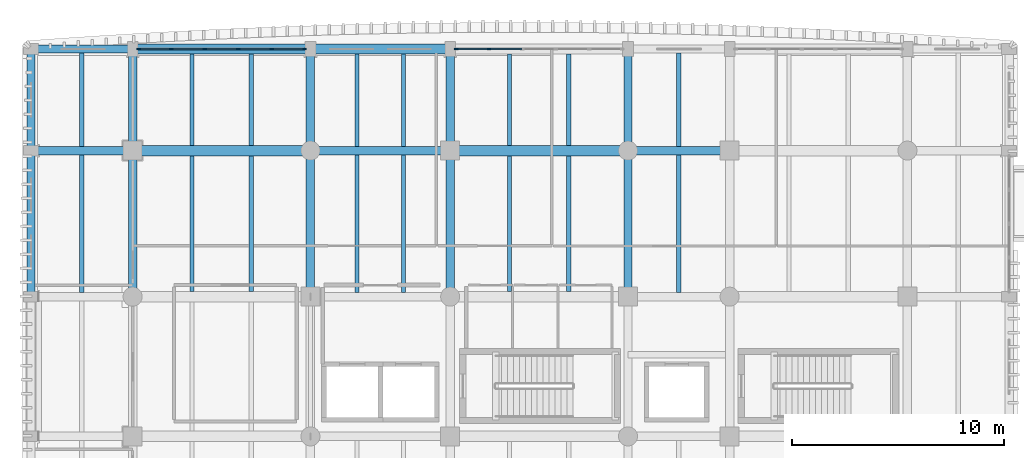
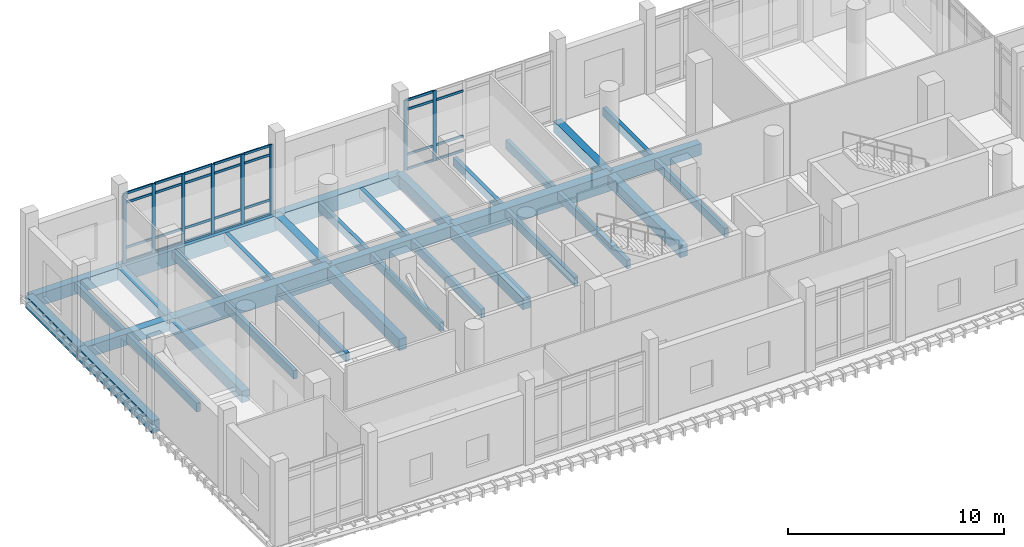
# One storey, part 27 of 101: 35 members, 34 beams, 2 elements without a shape of their own.
"""IFC4 building model written with IfcOpenShell, lengths in metres."""

from ifc_helpers import new_model, si_unit, direction, frame, origin, origin_2d, place, context, subcontext, project, spatial, rectangle, extrude, material, material_profile, profile_set, type_object, element, aggregate, save


model = new_model("IFC4")

# Units and contexts
model_context = context("Model", 3, precision=1e-05, world=origin(), true_north=direction((0.0, 1.0)))
body_context = subcontext(model_context, "Body", "Model", "MODEL_VIEW")
ifc_project = project(units=[si_unit("LENGTHUNIT", "METRE"), si_unit("AREAUNIT", "SQUARE_METRE"), si_unit("VOLUMEUNIT", "CUBIC_METRE"), si_unit("PLANEANGLEUNIT", "RADIAN"), si_unit("MASSUNIT", "GRAM", prefix="KILO")], contexts=[model_context])

# Site, building, storey
site_placement = place(None, origin())
site = spatial("IfcSite", under=ifc_project, at=site_placement, CompositionType="ELEMENT")
building_placement = place(site_placement, origin())
building = spatial("IfcBuilding", under=site, at=building_placement, Name="Dornvale Research Institute", CompositionType="ELEMENT")
storey_placement = place(building_placement, frame((0.0, 0.0, 10.199951171875)))
storey = spatial("IfcBuildingStorey", under=building, at=storey_placement, Name="L02", CompositionType="ELEMENT", Elevation=10.199951171875)

# Beams
ifc_material_1 = material(Name="Concrete f'c 45 MPa (C35/45)", Category="concrete")
ifc_material_profile_1 = material_profile(ifc_material_1, rectangle(XDim=0.39990234375, YDim=0.64990234375, at=origin_2d()), Name="RC 400x650")
ifc_profile_set_1 = profile_set([ifc_material_profile_1], Name="Concrete f'c 45 MPa (C35/45)")
beam_type_1 = type_object("IfcBeamType", Name="Beam_RC400x650_Floor", PredefinedType="BEAM", material=ifc_profile_set_1)
beam_1_placement = place(storey_placement, frame((0.0, 117.300048828125, -0.324951171875), z_axis=(1.0, 0.0, 0.0), x_axis=(0.0, 1.0, 0.0)))
element("IfcBeam", 1, at=beam_1_placement, inside=storey, type_object=beam_type_1, Name="L02 primary girder #589", PredefinedType="BEAM", context=body_context, shape_type="SweptSolid", body=[
    extrude(rectangle(XDim=0.39990234375, YDim=0.64990234375, at=origin_2d()), origin(), (0.0, 0.0, 1.0), 4.800048828125),
])
beam_2_placement = place(storey_placement, frame((13.199951171875, 117.300048828125, -0.324951171875), z_axis=(1.0, 0.0, 0.0), x_axis=(0.0, 1.0, 0.0)))
element("IfcBeam", 2, at=beam_2_placement, inside=storey, type_object=beam_type_1, Name="L02 primary girder #591", PredefinedType="BEAM", context=body_context, shape_type="SweptSolid", body=[
    extrude(rectangle(XDim=0.39990234375, YDim=0.64990234375, at=origin_2d()), origin(), (0.0, 0.0, 1.0), 6.60009765625),
])
beam_3_placement = place(storey_placement, frame((28.199951171875, 117.300048828125, -0.324951171875), z_axis=(1.0, 0.0, 0.0), x_axis=(0.0, 1.0, 0.0)))
element("IfcBeam", 3, at=beam_3_placement, inside=storey, type_object=beam_type_1, Name="L02 primary girder #593", PredefinedType="BEAM", context=body_context, shape_type="SweptSolid", body=[
    extrude(rectangle(XDim=0.39990234375, YDim=0.64990234375, at=origin_2d()), origin(), (0.0, 0.0, 1.0), 4.800048828125),
])
beam_4_placement = place(storey_placement, frame((4.800048828125, 110.39990234375, -0.324951171875), z_axis=(0.0, 1.0, 0.0), x_axis=(-1.0, 0.0, 0.0)))
element("IfcBeam", 4, at=beam_4_placement, inside=storey, type_object=beam_type_1, Name="L02 transverse girder #609", PredefinedType="BEAM", context=body_context, shape_type="SweptSolid", body=[
    extrude(rectangle(XDim=0.39990234375, YDim=0.64990234375, at=origin_2d()), origin(), (0.0, 0.0, 1.0), 6.900146484375),
])
beam_5_placement = place(storey_placement, frame((4.800048828125, 117.300048828125, -0.324951171875), z_axis=(0.0, 1.0, 0.0), x_axis=(-1.0, 0.0, 0.0)))
element("IfcBeam", 5, at=beam_5_placement, inside=storey, type_object=beam_type_1, Name="L02 transverse girder #610", PredefinedType="BEAM", context=body_context, shape_type="SweptSolid", body=[
    extrude(rectangle(XDim=0.39990234375, YDim=0.64990234375, at=origin_2d()), origin(), (0.0, 0.0, 1.0), 4.800048828125),
])
beam_6_placement = place(storey_placement, frame((13.199951171875, 110.39990234375, -0.324951171875), z_axis=(0.0, 1.0, 0.0), x_axis=(-1.0, 0.0, 0.0)))
element("IfcBeam", 6, at=beam_6_placement, inside=storey, type_object=beam_type_1, Name="L02 transverse girder #613", PredefinedType="BEAM", context=body_context, shape_type="SweptSolid", body=[
    extrude(rectangle(XDim=0.39990234375, YDim=0.64990234375, at=origin_2d()), origin(), (0.0, 0.0, 1.0), 6.900146484375),
])
beam_7_placement = place(storey_placement, frame((13.199951171875, 117.300048828125, -0.324951171875), z_axis=(0.0, 1.0, 0.0), x_axis=(-1.0, 0.0, 0.0)))
element("IfcBeam", 7, at=beam_7_placement, inside=storey, type_object=beam_type_1, Name="L02 transverse girder #614", PredefinedType="BEAM", context=body_context, shape_type="SweptSolid", body=[
    extrude(rectangle(XDim=0.39990234375, YDim=0.64990234375, at=origin_2d()), origin(), (0.0, 0.0, 1.0), 4.800048828125),
])
beam_8_placement = place(storey_placement, frame((19.800048828125, 110.39990234375, -0.324951171875), z_axis=(0.0, 1.0, 0.0), x_axis=(-1.0, 0.0, 0.0)))
element("IfcBeam", 8, at=beam_8_placement, inside=storey, type_object=beam_type_1, Name="L02 transverse girder #617", PredefinedType="BEAM", context=body_context, shape_type="SweptSolid", body=[
    extrude(rectangle(XDim=0.39990234375, YDim=0.64990234375, at=origin_2d()), origin(), (0.0, 0.0, 1.0), 6.900146484375),
])
beam_9_placement = place(storey_placement, frame((19.800048828125, 117.300048828125, -0.324951171875), z_axis=(0.0, 1.0, 0.0), x_axis=(-1.0, 0.0, 0.0)))
element("IfcBeam", 9, at=beam_9_placement, inside=storey, type_object=beam_type_1, Name="L02 transverse girder #618", PredefinedType="BEAM", context=body_context, shape_type="SweptSolid", body=[
    extrude(rectangle(XDim=0.39990234375, YDim=0.64990234375, at=origin_2d()), origin(), (0.0, 0.0, 1.0), 4.800048828125),
])
beam_10_placement = place(storey_placement, frame((28.199951171875, 110.39990234375, -0.324951171875), z_axis=(0.0, 1.0, 0.0), x_axis=(-1.0, 0.0, 0.0)))
element("IfcBeam", 10, at=beam_10_placement, inside=storey, type_object=beam_type_1, Name="L02 transverse girder #621", PredefinedType="BEAM", context=body_context, shape_type="SweptSolid", body=[
    extrude(rectangle(XDim=0.39990234375, YDim=0.64990234375, at=origin_2d()), origin(), (0.0, 0.0, 1.0), 6.900146484375),
])
beam_11_placement = place(storey_placement, frame((28.199951171875, 117.300048828125, -0.324951171875), z_axis=(0.0, 1.0, 0.0), x_axis=(-1.0, 0.0, 0.0)))
element("IfcBeam", 11, at=beam_11_placement, inside=storey, type_object=beam_type_1, Name="L02 transverse girder #622", PredefinedType="BEAM", context=body_context, shape_type="SweptSolid", body=[
    extrude(rectangle(XDim=0.39990234375, YDim=0.64990234375, at=origin_2d()), origin(), (0.0, 0.0, 1.0), 4.800048828125),
])
ifc_material_2 = material(Name="Concrete f'c 45 MPa (C35/45)", Category="concrete")
ifc_material_profile_2 = material_profile(ifc_material_2, rectangle(XDim=0.5, YDim=0.949951171875, at=origin_2d()), Name="RC 500x950")
ifc_profile_set_2 = profile_set([ifc_material_profile_2], Name="Concrete f'c 45 MPa (C35/45)")
beam_type_2 = type_object("IfcBeamType", Name="Beam_RC500x950_Girder", PredefinedType="BEAM", material=ifc_profile_set_2)
for number, where, z_axis, x_axis, name in (
    (12, (4.800048828125, 117.300048828125, -0.474853515625), (1.0, 0.0, 0.0), (0.0, 1.0, 0.0), "L02 primary girder #590"),
    (13, (19.800048828125, 117.300048828125, -0.474853515625), (1.0, 0.0, 0.0), (0.0, 1.0, 0.0), "L02 primary girder #592"),
):
    element("IfcBeam", number, at=place(storey_placement, frame(where, z_axis=z_axis, x_axis=x_axis)), inside=storey, type_object=beam_type_2, Name=name, PredefinedType="BEAM", context=body_context, shape_type="SweptSolid", body=[
        extrude(rectangle(XDim=0.5, YDim=0.949951171875, at=origin_2d()), origin(), (0.0, 0.0, 1.0), 8.39990234375),
    ])
ifc_material_3 = material(Name="Concrete f'c 45 MPa (C35/45)", Category="concrete")
ifc_material_profile_3 = material_profile(ifc_material_3, rectangle(XDim=0.199951171875, YDim=0.485107421875, at=origin_2d()), Name="RC 200x485")
ifc_profile_set_3 = profile_set([ifc_material_profile_3], Name="Concrete f'c 45 MPa (C35/45)")
beam_type_3 = type_object("IfcBeamType", Name="Joist_RC200x485_Rib", PredefinedType="JOIST", material=ifc_profile_set_3)
beam_12_placement = place(storey_placement, frame((2.39990234375, 110.60009765625, -0.242431640625), z_axis=(0.0, 1.0, 0.0), x_axis=(-1.0, 0.0, 0.0)))
element("IfcBeam", 14, at=beam_12_placement, inside=storey, type_object=beam_type_3, Name="L02 laboratory waffle joist #279", PredefinedType="JOIST", context=body_context, shape_type="SweptSolid", body=[
    extrude(rectangle(XDim=0.199951171875, YDim=0.485107421875, at=origin_2d()), origin(), (0.0, 0.0, 1.0), 6.5),
])
beam_13_placement = place(storey_placement, frame((2.39990234375, 117.5, -0.242431640625), z_axis=(0.0, 1.0, 0.0), x_axis=(-1.0, 0.0, 0.0)))
element("IfcBeam", 15, at=beam_13_placement, inside=storey, type_object=beam_type_3, Name="L02 laboratory waffle joist #280", PredefinedType="JOIST", context=body_context, shape_type="SweptSolid", body=[
    extrude(rectangle(XDim=0.199951171875, YDim=0.485107421875, at=origin_2d()), origin(), (0.0, 0.0, 1.0), 4.39990234375),
])
for number, where, z_axis, x_axis, name in (
    (16, (7.60009765625, 110.64990234375, -0.242431640625), (0.0, 1.0, 0.0), (-1.0, 0.0, 0.0), "L02 laboratory waffle joist #285"),
    (17, (10.39990234375, 110.64990234375, -0.242431640625), (0.0, 1.0, 0.0), (-1.0, 0.0, 0.0), "L02 laboratory waffle joist #286"),
):
    element("IfcBeam", number, at=place(storey_placement, frame(where, z_axis=z_axis, x_axis=x_axis)), inside=storey, type_object=beam_type_3, Name=name, PredefinedType="JOIST", context=body_context, shape_type="SweptSolid", body=[
        extrude(rectangle(XDim=0.199951171875, YDim=0.485107421875, at=origin_2d()), origin(), (0.0, 0.0, 1.0), 6.400146484375),
    ])
for number, where, z_axis, x_axis, name in (
    (18, (7.60009765625, 117.550048828125, -0.242431640625), (0.0, 1.0, 0.0), (-1.0, 0.0, 0.0), "L02 laboratory waffle joist #287"),
    (19, (10.39990234375, 117.550048828125, -0.242431640625), (0.0, 1.0, 0.0), (-1.0, 0.0, 0.0), "L02 laboratory waffle joist #288"),
):
    element("IfcBeam", number, at=place(storey_placement, frame(where, z_axis=z_axis, x_axis=x_axis)), inside=storey, type_object=beam_type_3, Name=name, PredefinedType="JOIST", context=body_context, shape_type="SweptSolid", body=[
        extrude(rectangle(XDim=0.199951171875, YDim=0.485107421875, at=origin_2d()), origin(), (0.0, 0.0, 1.0), 4.324951171875),
    ])
for number, where, z_axis, x_axis, name in (
    (20, (15.39990234375, 110.60009765625, -0.242431640625), (0.0, 1.0, 0.0), (-1.0, 0.0, 0.0), "L02 laboratory waffle joist #291"),
    (21, (17.60009765625, 110.60009765625, -0.242431640625), (0.0, 1.0, 0.0), (-1.0, 0.0, 0.0), "L02 laboratory waffle joist #292"),
):
    element("IfcBeam", number, at=place(storey_placement, frame(where, z_axis=z_axis, x_axis=x_axis)), inside=storey, type_object=beam_type_3, Name=name, PredefinedType="JOIST", context=body_context, shape_type="SweptSolid", body=[
        extrude(rectangle(XDim=0.199951171875, YDim=0.485107421875, at=origin_2d()), origin(), (0.0, 0.0, 1.0), 6.5),
    ])
for number, where, z_axis, x_axis, name in (
    (22, (15.39990234375, 117.5, -0.242431640625), (0.0, 1.0, 0.0), (-1.0, 0.0, 0.0), "L02 laboratory waffle joist #293"),
    (23, (17.60009765625, 117.5, -0.242431640625), (0.0, 1.0, 0.0), (-1.0, 0.0, 0.0), "L02 laboratory waffle joist #294"),
):
    element("IfcBeam", number, at=place(storey_placement, frame(where, z_axis=z_axis, x_axis=x_axis)), inside=storey, type_object=beam_type_3, Name=name, PredefinedType="JOIST", context=body_context, shape_type="SweptSolid", body=[
        extrude(rectangle(XDim=0.199951171875, YDim=0.485107421875, at=origin_2d()), origin(), (0.0, 0.0, 1.0), 4.375),
    ])
for number, where, z_axis, x_axis, name in (
    (24, (22.60009765625, 110.64990234375, -0.242431640625), (0.0, 1.0, 0.0), (-1.0, 0.0, 0.0), "L02 laboratory waffle joist #297"),
    (25, (25.39990234375, 110.64990234375, -0.242431640625), (0.0, 1.0, 0.0), (-1.0, 0.0, 0.0), "L02 laboratory waffle joist #298"),
):
    element("IfcBeam", number, at=place(storey_placement, frame(where, z_axis=z_axis, x_axis=x_axis)), inside=storey, type_object=beam_type_3, Name=name, PredefinedType="JOIST", context=body_context, shape_type="SweptSolid", body=[
        extrude(rectangle(XDim=0.199951171875, YDim=0.485107421875, at=origin_2d()), origin(), (0.0, 0.0, 1.0), 6.400146484375),
    ])
for number, where, z_axis, x_axis, name in (
    (26, (22.60009765625, 117.550048828125, -0.242431640625), (0.0, 1.0, 0.0), (-1.0, 0.0, 0.0), "L02 laboratory waffle joist #299"),
    (27, (25.39990234375, 117.550048828125, -0.242431640625), (0.0, 1.0, 0.0), (-1.0, 0.0, 0.0), "L02 laboratory waffle joist #300"),
):
    element("IfcBeam", number, at=place(storey_placement, frame(where, z_axis=z_axis, x_axis=x_axis)), inside=storey, type_object=beam_type_3, Name=name, PredefinedType="JOIST", context=body_context, shape_type="SweptSolid", body=[
        extrude(rectangle(XDim=0.199951171875, YDim=0.485107421875, at=origin_2d()), origin(), (0.0, 0.0, 1.0), 4.324951171875),
    ])
beam_14_placement = place(storey_placement, frame((30.60009765625, 110.60009765625, -0.242431640625), z_axis=(0.0, 1.0, 0.0), x_axis=(-1.0, 0.0, 0.0)))
element("IfcBeam", 28, at=beam_14_placement, inside=storey, type_object=beam_type_3, Name="L02 laboratory waffle joist #302", PredefinedType="JOIST", context=body_context, shape_type="SweptSolid", body=[
    extrude(rectangle(XDim=0.199951171875, YDim=0.485107421875, at=origin_2d()), origin(), (0.0, 0.0, 1.0), 6.5),
])
beam_15_placement = place(storey_placement, frame((30.60009765625, 117.5, -0.242431640625), z_axis=(0.0, 1.0, 0.0), x_axis=(-1.0, 0.0, 0.0)))
element("IfcBeam", 29, at=beam_15_placement, inside=storey, type_object=beam_type_3, Name="L02 laboratory waffle joist #303", PredefinedType="JOIST", context=body_context, shape_type="SweptSolid", body=[
    extrude(rectangle(XDim=0.199951171875, YDim=0.485107421875, at=origin_2d()), origin(), (0.0, 0.0, 1.0), 4.39990234375),
])

# Curtain wall, members
ifc_material_4 = material(Name="Low-E Argon Double Insulating Glazing Unit", Category="glass")
curtain_wall_type = type_object("IfcCurtainWallType", Name="UnitisedCurtainWall_V5_7900x3950", PredefinedType="USERDEFINED", material=ifc_material_4)
curtain_wall_1_placement = place(storey_placement, origin())
curtain_wall_1 = element("IfcCurtainWall", 30, at=curtain_wall_1_placement, inside=storey, type_object=curtain_wall_type, Name="L02 V5 unitised curtain wall CW-24 #140", ObjectType="UNITISED CURTAIN WALL", PredefinedType="USERDEFINED")
ifc_material_5 = material(Name="Anodized Aluminum AA 6063-T6 Thermally Broken Frame", Category="aluminium")
ifc_material_profile_4 = material_profile(ifc_material_5, rectangle(XDim=0.06494140625, YDim=0.179931640625, at=origin_2d()), Name="ALU MULLION 65x180")
ifc_profile_set_4 = profile_set([ifc_material_profile_4], Name="Anodized Aluminum AA 6063-T6 Thermally Broken Frame")
member_type_1 = type_object("IfcMemberType", Name="Mullion_CW_65x180", PredefinedType="MULLION", material=ifc_profile_set_4)
member_1_placement = place(storey_placement, frame((5.08251953125, 122.10009765625, 0.0), z_axis=(0.0, 0.0, 1.0), x_axis=(0.0, 1.0, 0.0)))
member_1 = element("IfcMember", 31, at=member_1_placement, type_object=member_type_1, Name="CW-24 mullion 1", PredefinedType="MULLION", context=body_context, shape_type="SweptSolid", body=[
    extrude(rectangle(XDim=0.06494140625, YDim=0.179931640625, at=origin_2d()), origin(), (0.0, 0.0, 1.0), 3.949951171875),
])
member_2_placement = place(storey_placement, frame((6.6298828125, 122.10009765625, 0.0), z_axis=(0.0, 0.0, 1.0), x_axis=(0.0, 1.0, 0.0)))
member_2 = element("IfcMember", 32, at=member_2_placement, type_object=member_type_1, Name="CW-24 mullion 2", PredefinedType="MULLION", context=body_context, shape_type="SweptSolid", body=[
    extrude(rectangle(XDim=0.06494140625, YDim=0.179931640625, at=origin_2d()), origin(), (0.0, 0.0, 1.0), 3.949951171875),
])
member_3_placement = place(storey_placement, frame((8.2099609375, 122.10009765625, 0.0), z_axis=(0.0, 0.0, 1.0), x_axis=(0.0, 1.0, 0.0)))
member_3 = element("IfcMember", 33, at=member_3_placement, type_object=member_type_1, Name="CW-24 mullion 3", PredefinedType="MULLION", context=body_context, shape_type="SweptSolid", body=[
    extrude(rectangle(XDim=0.06494140625, YDim=0.179931640625, at=origin_2d()), origin(), (0.0, 0.0, 1.0), 3.949951171875),
])
member_4_placement = place(storey_placement, frame((9.7900390625, 122.10009765625, 0.0), z_axis=(0.0, 0.0, 1.0), x_axis=(0.0, 1.0, 0.0)))
member_4 = element("IfcMember", 34, at=member_4_placement, type_object=member_type_1, Name="CW-24 mullion 4", PredefinedType="MULLION", context=body_context, shape_type="SweptSolid", body=[
    extrude(rectangle(XDim=0.06494140625, YDim=0.179931640625, at=origin_2d()), origin(), (0.0, 0.0, 1.0), 3.949951171875),
])
member_5_placement = place(storey_placement, frame((11.3701171875, 122.10009765625, 0.0), z_axis=(0.0, 0.0, 1.0), x_axis=(0.0, 1.0, 0.0)))
member_5 = element("IfcMember", 35, at=member_5_placement, type_object=member_type_1, Name="CW-24 mullion 5", PredefinedType="MULLION", context=body_context, shape_type="SweptSolid", body=[
    extrude(rectangle(XDim=0.06494140625, YDim=0.179931640625, at=origin_2d()), origin(), (0.0, 0.0, 1.0), 3.949951171875),
])
member_6_placement = place(storey_placement, frame((12.91748046875, 122.10009765625, 0.0), z_axis=(0.0, 0.0, 1.0), x_axis=(0.0, 1.0, 0.0)))
member_6 = element("IfcMember", 36, at=member_6_placement, type_object=member_type_1, Name="CW-24 mullion 6", PredefinedType="MULLION", context=body_context, shape_type="SweptSolid", body=[
    extrude(rectangle(XDim=0.06494140625, YDim=0.179931640625, at=origin_2d()), origin(), (0.0, 0.0, 1.0), 3.949951171875),
])

curtain_wall_2_placement = place(storey_placement, origin())
curtain_wall_2 = element("IfcCurtainWall", 37, at=curtain_wall_2_placement, inside=storey, type_object=curtain_wall_type, Name="L02 V5 unitised curtain wall CW-24 #141", ObjectType="UNITISED CURTAIN WALL", PredefinedType="USERDEFINED")
member_7_placement = place(storey_placement, frame((20.08251953125, 122.10009765625, 0.0), z_axis=(0.0, 0.0, 1.0), x_axis=(0.0, 1.0, 0.0)))
member_7 = element("IfcMember", 38, at=member_7_placement, type_object=member_type_1, Name="CW-24 mullion 1", PredefinedType="MULLION", context=body_context, shape_type="SweptSolid", body=[
    extrude(rectangle(XDim=0.06494140625, YDim=0.179931640625, at=origin_2d()), origin(), (0.0, 0.0, 1.0), 3.949951171875),
])
member_8_placement = place(storey_placement, frame((21.6298828125, 122.10009765625, 0.0), z_axis=(0.0, 0.0, 1.0), x_axis=(0.0, 1.0, 0.0)))
member_8 = element("IfcMember", 39, at=member_8_placement, type_object=member_type_1, Name="CW-24 mullion 2", PredefinedType="MULLION", context=body_context, shape_type="SweptSolid", body=[
    extrude(rectangle(XDim=0.06494140625, YDim=0.179931640625, at=origin_2d()), origin(), (0.0, 0.0, 1.0), 3.949951171875),
])

# Beams
ifc_material_6 = material(Name="Concrete f'c 45 MPa (C35/45)", Category="concrete")
ifc_material_profile_5 = material_profile(ifc_material_6, rectangle(XDim=0.39990234375, YDim=0.699951171875, at=origin_2d()), Name="RC 400x700")
ifc_profile_set_5 = profile_set([ifc_material_profile_5], Name="Concrete f'c 45 MPa (C35/45)")
beam_type_4 = type_object("IfcBeamType", Name="Spandrel_RC400x700_Ext", PredefinedType="SPANDREL", material=ifc_profile_set_5)
beam_16_placement = place(storey_placement, frame((0.0, 122.10009765625, -0.349853515625), z_axis=(1.0, 0.0, 0.0), x_axis=(0.0, 1.0, 0.0)))
element("IfcBeam", 40, at=beam_16_placement, inside=storey, type_object=beam_type_4, Name="L02 perimeter spandrel #596", PredefinedType="SPANDREL", context=body_context, shape_type="SweptSolid", body=[
    extrude(rectangle(XDim=0.39990234375, YDim=0.699951171875, at=origin_2d()), origin(), (0.0, 0.0, 1.0), 4.800048828125),
])
beam_17_placement = place(storey_placement, frame((0.0, 110.39990234375, -0.349853515625), z_axis=(0.0, 1.0, 0.0), x_axis=(-1.0, 0.0, 0.0)))
element("IfcBeam", 41, at=beam_17_placement, inside=storey, type_object=beam_type_4, Name="L02 perimeter spandrel #605", PredefinedType="SPANDREL", context=body_context, shape_type="SweptSolid", body=[
    extrude(rectangle(XDim=0.39990234375, YDim=0.699951171875, at=origin_2d()), origin(), (0.0, 0.0, 1.0), 6.900146484375),
])
beam_18_placement = place(storey_placement, frame((0.0, 117.300048828125, -0.349853515625), z_axis=(0.0, 1.0, 0.0), x_axis=(-1.0, 0.0, 0.0)))
element("IfcBeam", 42, at=beam_18_placement, inside=storey, type_object=beam_type_4, Name="L02 perimeter spandrel #606", PredefinedType="SPANDREL", context=body_context, shape_type="SweptSolid", body=[
    extrude(rectangle(XDim=0.39990234375, YDim=0.699951171875, at=origin_2d()), origin(), (0.0, 0.0, 1.0), 4.800048828125),
])
ifc_material_7 = material(Name="Concrete f'c 45 MPa (C35/45)", Category="concrete")
ifc_material_profile_6 = material_profile(ifc_material_7, rectangle(XDim=0.449951171875, YDim=0.85009765625, at=origin_2d()), Name="RC 450x850")
ifc_profile_set_6 = profile_set([ifc_material_profile_6], Name="Concrete f'c 45 MPa (C35/45)")
beam_type_5 = type_object("IfcBeamType", Name="Spandrel_RC450x850_Ext", PredefinedType="SPANDREL", material=ifc_profile_set_6)
beam_19_placement = place(storey_placement, frame((4.800048828125, 122.10009765625, -0.425048828125), z_axis=(1.0, 0.0, 0.0), x_axis=(0.0, 1.0, 0.0)))
element("IfcBeam", 43, at=beam_19_placement, inside=storey, type_object=beam_type_5, Name="L02 perimeter spandrel #597", PredefinedType="SPANDREL", context=body_context, shape_type="SweptSolid", body=[
    extrude(rectangle(XDim=0.449951171875, YDim=0.85009765625, at=origin_2d()), origin(), (0.0, 0.0, 1.0), 8.39990234375),
])
beam_20_placement = place(storey_placement, frame((13.199951171875, 122.10009765625, -0.425048828125), z_axis=(1.0, 0.0, 0.0), x_axis=(0.0, 1.0, 0.0)))
element("IfcBeam", 44, at=beam_20_placement, inside=storey, type_object=beam_type_5, Name="L02 perimeter spandrel #598", PredefinedType="SPANDREL", context=body_context, shape_type="SweptSolid", body=[
    extrude(rectangle(XDim=0.449951171875, YDim=0.85009765625, at=origin_2d()), origin(), (0.0, 0.0, 1.0), 6.60009765625),
])

# Member
ifc_material_8 = material(Name="Anodized Aluminum AA 6063-T6 Thermally Broken Frame", Category="aluminium")
ifc_material_profile_7 = material_profile(ifc_material_8, rectangle(XDim=0.06494140625, YDim=0.135009765625, at=origin_2d()), Name="ALU TRANSOM 65x135")
ifc_profile_set_7 = profile_set([ifc_material_profile_7], Name="Anodized Aluminum AA 6063-T6 Thermally Broken Frame")
member_type_2 = type_object("IfcMemberType", Name="Transom_CW_65x135", PredefinedType="USERDEFINED", material=ifc_profile_set_7)
member_9_placement = place(storey_placement, frame((5.114990234375, 122.10009765625, 0.032470703125), z_axis=(1.0, 0.0, 0.0), x_axis=(0.0, 1.0, 0.0)))
member_9 = element("IfcMember", 45, at=member_9_placement, type_object=member_type_2, Name="CW-24 transom 1.1", ObjectType="TRANSOM", PredefinedType="USERDEFINED", context=body_context, shape_type="SweptSolid", body=[
    extrude(rectangle(XDim=0.06494140625, YDim=0.135009765625, at=origin_2d()), origin(), (0.0, 0.0, 1.0), 1.482421875),
])

member_10_placement = place(storey_placement, frame((5.114990234375, 122.10009765625, 0.85009765625), z_axis=(1.0, 0.0, 0.0), x_axis=(0.0, 1.0, 0.0)))
member_10 = element("IfcMember", 46, at=member_10_placement, type_object=member_type_2, Name="CW-24 transom 1.2", ObjectType="TRANSOM", PredefinedType="USERDEFINED", context=body_context, shape_type="SweptSolid", body=[
    extrude(rectangle(XDim=0.06494140625, YDim=0.135009765625, at=origin_2d()), origin(), (0.0, 0.0, 1.0), 1.482421875),
])

member_11_placement = place(storey_placement, frame((5.114990234375, 122.10009765625, 3.400146484375), z_axis=(1.0, 0.0, 0.0), x_axis=(0.0, 1.0, 0.0)))
member_11 = element("IfcMember", 47, at=member_11_placement, type_object=member_type_2, Name="CW-24 transom 1.3", ObjectType="TRANSOM", PredefinedType="USERDEFINED", context=body_context, shape_type="SweptSolid", body=[
    extrude(rectangle(XDim=0.06494140625, YDim=0.135009765625, at=origin_2d()), origin(), (0.0, 0.0, 1.0), 1.482421875),
])

member_12_placement = place(storey_placement, frame((5.114990234375, 122.10009765625, 3.91748046875), z_axis=(1.0, 0.0, 0.0), x_axis=(0.0, 1.0, 0.0)))
member_12 = element("IfcMember", 48, at=member_12_placement, type_object=member_type_2, Name="CW-24 transom 1.4", ObjectType="TRANSOM", PredefinedType="USERDEFINED", context=body_context, shape_type="SweptSolid", body=[
    extrude(rectangle(XDim=0.06494140625, YDim=0.135009765625, at=origin_2d()), origin(), (0.0, 0.0, 1.0), 1.482421875),
])

member_13_placement = place(storey_placement, frame((6.66259765625, 122.10009765625, 0.032470703125), z_axis=(1.0, 0.0, 0.0), x_axis=(0.0, 1.0, 0.0)))
member_13 = element("IfcMember", 49, at=member_13_placement, type_object=member_type_2, Name="CW-24 transom 2.1", ObjectType="TRANSOM", PredefinedType="USERDEFINED", context=body_context, shape_type="SweptSolid", body=[
    extrude(rectangle(XDim=0.06494140625, YDim=0.135009765625, at=origin_2d()), origin(), (0.0, 0.0, 1.0), 1.514892578125),
])

member_14_placement = place(storey_placement, frame((6.66259765625, 122.10009765625, 0.85009765625), z_axis=(1.0, 0.0, 0.0), x_axis=(0.0, 1.0, 0.0)))
member_14 = element("IfcMember", 50, at=member_14_placement, type_object=member_type_2, Name="CW-24 transom 2.2", ObjectType="TRANSOM", PredefinedType="USERDEFINED", context=body_context, shape_type="SweptSolid", body=[
    extrude(rectangle(XDim=0.06494140625, YDim=0.135009765625, at=origin_2d()), origin(), (0.0, 0.0, 1.0), 1.514892578125),
])

member_15_placement = place(storey_placement, frame((6.66259765625, 122.10009765625, 3.400146484375), z_axis=(1.0, 0.0, 0.0), x_axis=(0.0, 1.0, 0.0)))
member_15 = element("IfcMember", 51, at=member_15_placement, type_object=member_type_2, Name="CW-24 transom 2.3", ObjectType="TRANSOM", PredefinedType="USERDEFINED", context=body_context, shape_type="SweptSolid", body=[
    extrude(rectangle(XDim=0.06494140625, YDim=0.135009765625, at=origin_2d()), origin(), (0.0, 0.0, 1.0), 1.514892578125),
])

member_16_placement = place(storey_placement, frame((6.66259765625, 122.10009765625, 3.91748046875), z_axis=(1.0, 0.0, 0.0), x_axis=(0.0, 1.0, 0.0)))
member_16 = element("IfcMember", 52, at=member_16_placement, type_object=member_type_2, Name="CW-24 transom 2.4", ObjectType="TRANSOM", PredefinedType="USERDEFINED", context=body_context, shape_type="SweptSolid", body=[
    extrude(rectangle(XDim=0.06494140625, YDim=0.135009765625, at=origin_2d()), origin(), (0.0, 0.0, 1.0), 1.514892578125),
])

member_17_placement = place(storey_placement, frame((8.242431640625, 122.10009765625, 0.032470703125), z_axis=(1.0, 0.0, 0.0), x_axis=(0.0, 1.0, 0.0)))
member_17 = element("IfcMember", 53, at=member_17_placement, type_object=member_type_2, Name="CW-24 transom 3.1", ObjectType="TRANSOM", PredefinedType="USERDEFINED", context=body_context, shape_type="SweptSolid", body=[
    extrude(rectangle(XDim=0.06494140625, YDim=0.135009765625, at=origin_2d()), origin(), (0.0, 0.0, 1.0), 1.51513671875),
])

member_18_placement = place(storey_placement, frame((8.242431640625, 122.10009765625, 0.85009765625), z_axis=(1.0, 0.0, 0.0), x_axis=(0.0, 1.0, 0.0)))
member_18 = element("IfcMember", 54, at=member_18_placement, type_object=member_type_2, Name="CW-24 transom 3.2", ObjectType="TRANSOM", PredefinedType="USERDEFINED", context=body_context, shape_type="SweptSolid", body=[
    extrude(rectangle(XDim=0.06494140625, YDim=0.135009765625, at=origin_2d()), origin(), (0.0, 0.0, 1.0), 1.51513671875),
])

member_19_placement = place(storey_placement, frame((8.242431640625, 122.10009765625, 3.400146484375), z_axis=(1.0, 0.0, 0.0), x_axis=(0.0, 1.0, 0.0)))
member_19 = element("IfcMember", 55, at=member_19_placement, type_object=member_type_2, Name="CW-24 transom 3.3", ObjectType="TRANSOM", PredefinedType="USERDEFINED", context=body_context, shape_type="SweptSolid", body=[
    extrude(rectangle(XDim=0.06494140625, YDim=0.135009765625, at=origin_2d()), origin(), (0.0, 0.0, 1.0), 1.51513671875),
])

member_20_placement = place(storey_placement, frame((8.242431640625, 122.10009765625, 3.91748046875), z_axis=(1.0, 0.0, 0.0), x_axis=(0.0, 1.0, 0.0)))
member_20 = element("IfcMember", 56, at=member_20_placement, type_object=member_type_2, Name="CW-24 transom 3.4", ObjectType="TRANSOM", PredefinedType="USERDEFINED", context=body_context, shape_type="SweptSolid", body=[
    extrude(rectangle(XDim=0.06494140625, YDim=0.135009765625, at=origin_2d()), origin(), (0.0, 0.0, 1.0), 1.51513671875),
])

member_21_placement = place(storey_placement, frame((9.822509765625, 122.10009765625, 0.032470703125), z_axis=(1.0, 0.0, 0.0), x_axis=(0.0, 1.0, 0.0)))
member_21 = element("IfcMember", 57, at=member_21_placement, type_object=member_type_2, Name="CW-24 transom 4.1", ObjectType="TRANSOM", PredefinedType="USERDEFINED", context=body_context, shape_type="SweptSolid", body=[
    extrude(rectangle(XDim=0.06494140625, YDim=0.135009765625, at=origin_2d()), origin(), (0.0, 0.0, 1.0), 1.514892578125),
])

member_22_placement = place(storey_placement, frame((9.822509765625, 122.10009765625, 0.85009765625), z_axis=(1.0, 0.0, 0.0), x_axis=(0.0, 1.0, 0.0)))
member_22 = element("IfcMember", 58, at=member_22_placement, type_object=member_type_2, Name="CW-24 transom 4.2", ObjectType="TRANSOM", PredefinedType="USERDEFINED", context=body_context, shape_type="SweptSolid", body=[
    extrude(rectangle(XDim=0.06494140625, YDim=0.135009765625, at=origin_2d()), origin(), (0.0, 0.0, 1.0), 1.514892578125),
])

member_23_placement = place(storey_placement, frame((9.822509765625, 122.10009765625, 3.400146484375), z_axis=(1.0, 0.0, 0.0), x_axis=(0.0, 1.0, 0.0)))
member_23 = element("IfcMember", 59, at=member_23_placement, type_object=member_type_2, Name="CW-24 transom 4.3", ObjectType="TRANSOM", PredefinedType="USERDEFINED", context=body_context, shape_type="SweptSolid", body=[
    extrude(rectangle(XDim=0.06494140625, YDim=0.135009765625, at=origin_2d()), origin(), (0.0, 0.0, 1.0), 1.514892578125),
])

member_24_placement = place(storey_placement, frame((9.822509765625, 122.10009765625, 3.91748046875), z_axis=(1.0, 0.0, 0.0), x_axis=(0.0, 1.0, 0.0)))
member_24 = element("IfcMember", 60, at=member_24_placement, type_object=member_type_2, Name="CW-24 transom 4.4", ObjectType="TRANSOM", PredefinedType="USERDEFINED", context=body_context, shape_type="SweptSolid", body=[
    extrude(rectangle(XDim=0.06494140625, YDim=0.135009765625, at=origin_2d()), origin(), (0.0, 0.0, 1.0), 1.514892578125),
])

member_25_placement = place(storey_placement, frame((11.402587890625, 122.10009765625, 0.032470703125), z_axis=(1.0, 0.0, 0.0), x_axis=(0.0, 1.0, 0.0)))
member_25 = element("IfcMember", 61, at=member_25_placement, type_object=member_type_2, Name="CW-24 transom 5.1", ObjectType="TRANSOM", PredefinedType="USERDEFINED", context=body_context, shape_type="SweptSolid", body=[
    extrude(rectangle(XDim=0.06494140625, YDim=0.135009765625, at=origin_2d()), origin(), (0.0, 0.0, 1.0), 1.482421875),
])

member_26_placement = place(storey_placement, frame((11.402587890625, 122.10009765625, 0.85009765625), z_axis=(1.0, 0.0, 0.0), x_axis=(0.0, 1.0, 0.0)))
member_26 = element("IfcMember", 62, at=member_26_placement, type_object=member_type_2, Name="CW-24 transom 5.2", ObjectType="TRANSOM", PredefinedType="USERDEFINED", context=body_context, shape_type="SweptSolid", body=[
    extrude(rectangle(XDim=0.06494140625, YDim=0.135009765625, at=origin_2d()), origin(), (0.0, 0.0, 1.0), 1.482421875),
])

member_27_placement = place(storey_placement, frame((11.402587890625, 122.10009765625, 3.400146484375), z_axis=(1.0, 0.0, 0.0), x_axis=(0.0, 1.0, 0.0)))
member_27 = element("IfcMember", 63, at=member_27_placement, type_object=member_type_2, Name="CW-24 transom 5.3", ObjectType="TRANSOM", PredefinedType="USERDEFINED", context=body_context, shape_type="SweptSolid", body=[
    extrude(rectangle(XDim=0.06494140625, YDim=0.135009765625, at=origin_2d()), origin(), (0.0, 0.0, 1.0), 1.482421875),
])

member_28_placement = place(storey_placement, frame((11.402587890625, 122.10009765625, 3.91748046875), z_axis=(1.0, 0.0, 0.0), x_axis=(0.0, 1.0, 0.0)))
member_28 = element("IfcMember", 64, at=member_28_placement, type_object=member_type_2, Name="CW-24 transom 5.4", ObjectType="TRANSOM", PredefinedType="USERDEFINED", context=body_context, shape_type="SweptSolid", body=[
    extrude(rectangle(XDim=0.06494140625, YDim=0.135009765625, at=origin_2d()), origin(), (0.0, 0.0, 1.0), 1.482421875),
])

aggregate(curtain_wall_1, [member_1, member_2, member_3, member_4, member_5, member_6, member_9, member_10, member_11, member_12, member_13, member_14, member_15, member_16, member_17, member_18, member_19, member_20, member_21, member_22, member_23, member_24, member_25, member_26, member_27, member_28])

member_29_placement = place(storey_placement, frame((20.114990234375, 122.10009765625, 0.032470703125), z_axis=(1.0, 0.0, 0.0), x_axis=(0.0, 1.0, 0.0)))
member_29 = element("IfcMember", 65, at=member_29_placement, type_object=member_type_2, Name="CW-24 transom 1.1", ObjectType="TRANSOM", PredefinedType="USERDEFINED", context=body_context, shape_type="SweptSolid", body=[
    extrude(rectangle(XDim=0.06494140625, YDim=0.135009765625, at=origin_2d()), origin(), (0.0, 0.0, 1.0), 1.482421875),
])

member_30_placement = place(storey_placement, frame((20.114990234375, 122.10009765625, 0.85009765625), z_axis=(1.0, 0.0, 0.0), x_axis=(0.0, 1.0, 0.0)))
member_30 = element("IfcMember", 66, at=member_30_placement, type_object=member_type_2, Name="CW-24 transom 1.2", ObjectType="TRANSOM", PredefinedType="USERDEFINED", context=body_context, shape_type="SweptSolid", body=[
    extrude(rectangle(XDim=0.06494140625, YDim=0.135009765625, at=origin_2d()), origin(), (0.0, 0.0, 1.0), 1.482421875),
])

member_31_placement = place(storey_placement, frame((20.114990234375, 122.10009765625, 3.400146484375), z_axis=(1.0, 0.0, 0.0), x_axis=(0.0, 1.0, 0.0)))
member_31 = element("IfcMember", 67, at=member_31_placement, type_object=member_type_2, Name="CW-24 transom 1.3", ObjectType="TRANSOM", PredefinedType="USERDEFINED", context=body_context, shape_type="SweptSolid", body=[
    extrude(rectangle(XDim=0.06494140625, YDim=0.135009765625, at=origin_2d()), origin(), (0.0, 0.0, 1.0), 1.482421875),
])

member_32_placement = place(storey_placement, frame((20.114990234375, 122.10009765625, 3.91748046875), z_axis=(1.0, 0.0, 0.0), x_axis=(0.0, 1.0, 0.0)))
member_32 = element("IfcMember", 68, at=member_32_placement, type_object=member_type_2, Name="CW-24 transom 1.4", ObjectType="TRANSOM", PredefinedType="USERDEFINED", context=body_context, shape_type="SweptSolid", body=[
    extrude(rectangle(XDim=0.06494140625, YDim=0.135009765625, at=origin_2d()), origin(), (0.0, 0.0, 1.0), 1.482421875),
])

member_33_placement = place(storey_placement, frame((21.66259765625, 122.10009765625, 0.032470703125), z_axis=(1.0, 0.0, 0.0), x_axis=(0.0, 1.0, 0.0)))
member_33 = element("IfcMember", 69, at=member_33_placement, type_object=member_type_2, Name="CW-24 transom 2.1", ObjectType="TRANSOM", PredefinedType="USERDEFINED", context=body_context, shape_type="SweptSolid", body=[
    extrude(rectangle(XDim=0.06494140625, YDim=0.135009765625, at=origin_2d()), origin(), (0.0, 0.0, 1.0), 1.514892578125),
])

member_34_placement = place(storey_placement, frame((21.66259765625, 122.10009765625, 0.85009765625), z_axis=(1.0, 0.0, 0.0), x_axis=(0.0, 1.0, 0.0)))
member_34 = element("IfcMember", 70, at=member_34_placement, type_object=member_type_2, Name="CW-24 transom 2.2", ObjectType="TRANSOM", PredefinedType="USERDEFINED", context=body_context, shape_type="SweptSolid", body=[
    extrude(rectangle(XDim=0.06494140625, YDim=0.135009765625, at=origin_2d()), origin(), (0.0, 0.0, 1.0), 1.514892578125),
])

member_35_placement = place(storey_placement, frame((21.66259765625, 122.10009765625, 3.400146484375), z_axis=(1.0, 0.0, 0.0), x_axis=(0.0, 1.0, 0.0)))
member_35 = element("IfcMember", 71, at=member_35_placement, type_object=member_type_2, Name="CW-24 transom 2.3", ObjectType="TRANSOM", PredefinedType="USERDEFINED", context=body_context, shape_type="SweptSolid", body=[
    extrude(rectangle(XDim=0.06494140625, YDim=0.135009765625, at=origin_2d()), origin(), (0.0, 0.0, 1.0), 1.514892578125),
])

aggregate(curtain_wall_2, [member_7, member_8, member_29, member_30, member_31, member_32, member_33, member_34, member_35])

save(model, "model.ifc")
